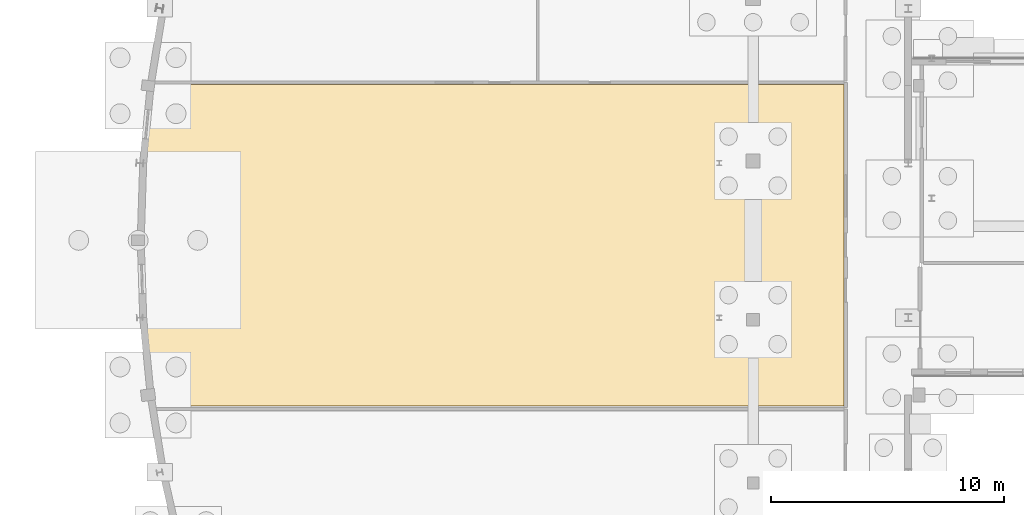
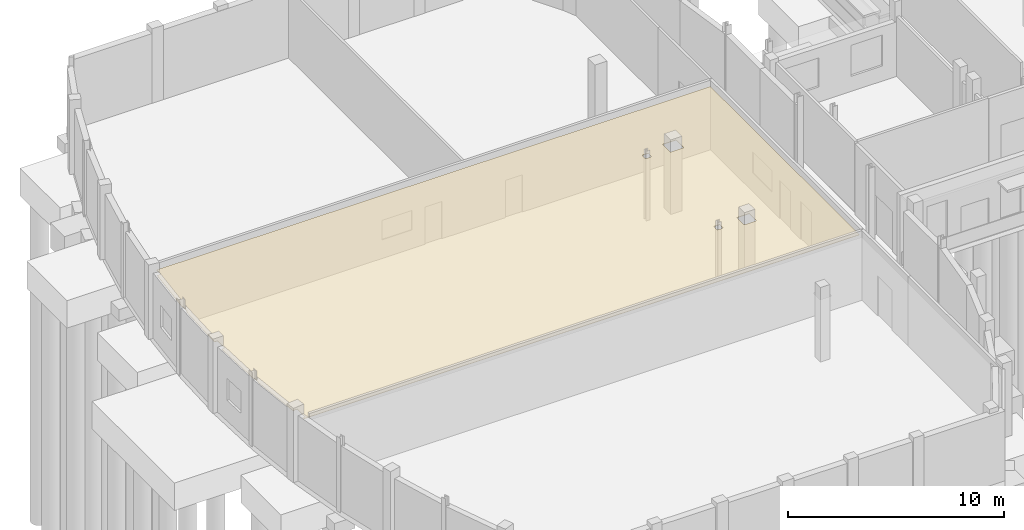
# One storey, part 80 of 93: 1 covering.
"""IFC4 building model written with IfcOpenShell, lengths in metres."""

from ifc_helpers import new_model, si_unit, direction, frame, origin, place, context, subcontext, project, spatial, polyline, outline, extrude, material, layer, layer_set, type_object, element, save


model = new_model("IFC4")

# Units and contexts
model_context = context("Model", 3, precision=1e-05, world=origin(), true_north=direction((0.0, 1.0)))
body_context = subcontext(model_context, "Body", "Model", "MODEL_VIEW")
ifc_project = project(units=[si_unit("LENGTHUNIT", "METRE"), si_unit("AREAUNIT", "SQUARE_METRE"), si_unit("VOLUMEUNIT", "CUBIC_METRE"), si_unit("PLANEANGLEUNIT", "RADIAN"), si_unit("MASSUNIT", "GRAM", prefix="KILO")], contexts=[model_context])

# Site, building, storey
site_placement = place(None, origin())
site = spatial("IfcSite", under=ifc_project, at=site_placement, CompositionType="ELEMENT")
building_placement = place(site_placement, origin())
building = spatial("IfcBuilding", under=site, at=building_placement, Name="Kelanivale Promenade Academy", CompositionType="ELEMENT")
storey_placement = place(building_placement, origin())
storey = spatial("IfcBuildingStorey", under=building, at=storey_placement, Name="L00", CompositionType="ELEMENT", Elevation=0.0)

# Covering
ifc_material = material(Name="Acoustic mineral-fibre ceiling tile 25 mm", Category="gypsum")
ifc_layer = layer(ifc_material, 0.02490234375)
ifc_layer_set = layer_set([ifc_layer], Name="Acoustic mineral-fibre ceiling tile 25 mm")
covering_type = type_object("IfcCoveringType", Name="COV-CLG1 Acoustic mineral-fibre ceiling tile ", PredefinedType="CEILING", material=ifc_layer_set)
covering_placement = place(storey_placement, frame((0.0, 0.0, 3.550048828125)))
element("IfcCovering", 1, at=covering_placement, inside=storey, type_object=covering_type, Name="PE Fitness Studio acoustic suspended ceiling", PredefinedType="CEILING", context=body_context, shape_type="SweptSolid", body=[
    extrude(outline(polyline([(3.14892578125, 62.889892578125), (3.14892578125, 62.533935546875), (3.14892578125, 62.530029296875), (3.14794921875, 62.52587890625), (3.14697265625, 62.52197265625), (3.14599609375, 62.51904296875), (3.14404296875, 62.514892578125), (3.14208984375, 62.511962890625), (3.139892578125, 62.509033203125), (3.136962890625, 62.506103515625), (3.134033203125, 62.5029296875), (3.131103515625, 62.5009765625), (3.1279296875, 62.4990234375), (3.1240234375, 62.4970703125), (3.12109375, 62.49609375), (3.116943359375, 62.4951171875), (3.113037109375, 62.493896484375), (3.10888671875, 62.493896484375), (2.94189453125, 62.493896484375), (2.677978515625, 59.73095703125), (2.679931640625, 59.73095703125), (2.68408203125, 59.73095703125), (2.68798828125, 59.72998046875), (2.69091796875, 59.72998046875), (2.695068359375, 59.72802734375), (2.698974609375, 59.72705078125), (2.701904296875, 59.72509765625), (2.705078125, 59.721923828125), (2.7080078125, 59.719970703125), (2.7109375, 59.717041015625), (2.712890625, 59.712890625), (2.715087890625, 59.7099609375), (2.717041015625, 59.70703125), (2.718017578125, 59.702880859375), (2.718994140625, 59.698974609375), (2.719970703125, 59.695068359375), (2.719970703125, 59.69091796875), (2.719970703125, 59.3369140625), (2.719970703125, 59.3330078125), (2.718994140625, 59.3291015625), (2.718017578125, 59.324951171875), (2.717041015625, 59.321044921875), (2.715087890625, 59.318115234375), (2.712890625, 59.31494140625), (2.7109375, 59.31103515625), (2.7080078125, 59.30810546875), (2.705078125, 59.305908203125), (2.701904296875, 59.302978515625), (2.698974609375, 59.301025390625), (2.695068359375, 59.300048828125), (2.69091796875, 59.298095703125), (2.68798828125, 59.298095703125), (2.68408203125, 59.297119140625), (2.679931640625, 59.297119140625), (2.64892578125, 59.297119140625), (2.56103515625, 56.534912109375), (2.68505859375, 56.534912109375), (2.68896484375, 56.534912109375), (2.693115234375, 56.533935546875), (2.697021484375, 56.532958984375), (2.699951171875, 56.531982421875), (2.7041015625, 56.530029296875), (2.70703125, 56.528076171875), (2.7099609375, 56.52587890625), (2.712890625, 56.52294921875), (2.716064453125, 56.52001953125), (2.718017578125, 56.51708984375), (2.719970703125, 56.513916015625), (2.721923828125, 56.510009765625), (2.722900390625, 56.507080078125), (2.72412109375, 56.5029296875), (2.72509765625, 56.4990234375), (2.72509765625, 56.4951171875), (2.72509765625, 55.905029296875), (2.72509765625, 55.90087890625), (2.72412109375, 55.89697265625), (2.722900390625, 55.89306640625), (2.721923828125, 55.889892578125), (2.719970703125, 55.885986328125), (2.718017578125, 55.883056640625), (2.716064453125, 55.8798828125), (2.712890625, 55.876953125), (2.7099609375, 55.8740234375), (2.70703125, 55.8720703125), (2.7041015625, 55.8701171875), (2.699951171875, 55.867919921875), (2.697021484375, 55.866943359375), (2.693115234375, 55.865966796875), (2.68896484375, 55.864990234375), (2.68505859375, 55.864990234375), (2.56103515625, 55.864990234375), (2.64990234375, 53.075927734375), (2.654052734375, 53.075927734375), (2.657958984375, 53.075927734375), (2.662109375, 53.074951171875), (2.666015625, 53.073974609375), (2.6689453125, 53.072998046875), (2.673095703125, 53.071044921875), (2.676025390625, 53.069091796875), (2.679931640625, 53.06689453125), (2.681884765625, 53.06396484375), (2.68505859375, 53.06201171875), (2.68701171875, 53.05810546875), (2.68896484375, 53.054931640625), (2.69091796875, 53.051025390625), (2.69189453125, 53.048095703125), (2.693115234375, 53.0439453125), (2.694091796875, 53.0400390625), (2.694091796875, 53.035888671875), (2.694091796875, 52.736083984375), (2.694091796875, 52.73193359375), (2.693115234375, 52.72802734375), (2.69189453125, 52.72412109375), (2.69091796875, 52.720947265625), (2.68896484375, 52.717041015625), (2.68701171875, 52.714111328125), (2.68505859375, 52.7099609375), (2.681884765625, 52.7080078125), (2.679931640625, 52.705078125), (2.676025390625, 52.702880859375), (2.674072265625, 52.700927734375), (2.93994140625, 49.930908203125), (3.134033203125, 49.930908203125), (3.137939453125, 49.930908203125), (3.14208984375, 49.929931640625), (3.14599609375, 49.928955078125), (3.14892578125, 49.927978515625), (3.153076171875, 49.926025390625), (3.156005859375, 49.924072265625), (3.158935546875, 49.922119140625), (3.162109375, 49.9189453125), (3.1650390625, 49.916015625), (3.1669921875, 49.9130859375), (3.1689453125, 49.909912109375), (3.1708984375, 49.906005859375), (3.172119140625, 49.903076171875), (3.173095703125, 49.89892578125), (3.174072265625, 49.89501953125), (3.174072265625, 49.89111328125), (3.174072265625, 49.2509765625), (3.174072265625, 49.2470703125), (3.173095703125, 49.242919921875), (3.172119140625, 49.239013671875), (3.1708984375, 49.236083984375), (3.1689453125, 49.23193359375), (3.1669921875, 49.22900390625), (3.1650390625, 49.22607421875), (3.162109375, 49.222900390625), (3.158935546875, 49.219970703125), (3.156005859375, 49.218017578125), (3.153076171875, 49.216064453125), (3.14892578125, 49.214111328125), (3.14599609375, 49.212890625), (3.14208984375, 49.2119140625), (3.137939453125, 49.2109375), (3.134033203125, 49.2109375), (3.033935546875, 49.2109375), (3.050048828125, 49.110107421875), (32.68994140625, 49.110107421875), (32.68994140625, 62.889892578125), (3.14892578125, 62.889892578125)]), holes=[polyline([(28.47998046875, 59.239990234375), (28.47607421875, 59.239990234375), (28.471923828125, 59.240966796875), (28.468017578125, 59.241943359375), (28.465087890625, 59.242919921875), (28.4609375, 59.2451171875), (28.4580078125, 59.2470703125), (28.455078125, 59.2490234375), (28.451904296875, 59.251953125), (28.448974609375, 59.2548828125), (28.447021484375, 59.258056640625), (28.445068359375, 59.260986328125), (28.443115234375, 59.264892578125), (28.44189453125, 59.26806640625), (28.44091796875, 59.27197265625), (28.43994140625, 59.27587890625), (28.43994140625, 59.280029296875), (28.43994140625, 59.919921875), (28.43994140625, 59.924072265625), (28.44091796875, 59.927978515625), (28.44189453125, 59.931884765625), (28.443115234375, 59.93505859375), (28.445068359375, 59.93896484375), (28.447021484375, 59.94189453125), (28.448974609375, 59.945068359375), (28.451904296875, 59.947998046875), (28.455078125, 59.950927734375), (28.4580078125, 59.952880859375), (28.4609375, 59.955078125), (28.465087890625, 59.95703125), (28.468017578125, 59.9580078125), (28.471923828125, 59.958984375), (28.47607421875, 59.9599609375), (28.47998046875, 59.9599609375), (29.1201171875, 59.9599609375), (29.1240234375, 59.9599609375), (29.1279296875, 59.958984375), (29.132080078125, 59.9580078125), (29.135009765625, 59.95703125), (29.138916015625, 59.955078125), (29.14208984375, 59.952880859375), (29.14501953125, 59.950927734375), (29.14794921875, 59.947998046875), (29.15087890625, 59.945068359375), (29.153076171875, 59.94189453125), (29.155029296875, 59.93896484375), (29.156982421875, 59.93505859375), (29.157958984375, 59.931884765625), (29.158935546875, 59.927978515625), (29.159912109375, 59.924072265625), (29.159912109375, 59.919921875), (29.159912109375, 59.280029296875), (29.159912109375, 59.27587890625), (29.158935546875, 59.27197265625), (29.157958984375, 59.26806640625), (29.156982421875, 59.264892578125), (29.155029296875, 59.260986328125), (29.153076171875, 59.258056640625), (29.15087890625, 59.2548828125), (29.14794921875, 59.251953125), (29.14501953125, 59.2490234375), (29.14208984375, 59.2470703125), (29.138916015625, 59.2451171875), (29.135009765625, 59.242919921875), (29.132080078125, 59.241943359375), (29.1279296875, 59.240966796875), (29.1240234375, 59.239990234375), (29.1201171875, 59.239990234375), (28.47998046875, 59.239990234375)]), polyline([(29.135009765625, 52.5048828125), (29.135009765625, 52.5009765625), (29.134033203125, 52.4970703125), (29.133056640625, 52.492919921875), (29.132080078125, 52.489990234375), (29.1298828125, 52.486083984375), (29.1279296875, 52.48291015625), (29.1259765625, 52.47998046875), (29.123046875, 52.47705078125), (29.1201171875, 52.47412109375), (29.116943359375, 52.471923828125), (29.114013671875, 52.469970703125), (29.110107421875, 52.468017578125), (29.10693359375, 52.467041015625), (29.10302734375, 52.466064453125), (29.09912109375, 52.465087890625), (29.094970703125, 52.465087890625), (28.5048828125, 52.465087890625), (28.5009765625, 52.465087890625), (28.4970703125, 52.466064453125), (28.492919921875, 52.467041015625), (28.489990234375, 52.468017578125), (28.486083984375, 52.469970703125), (28.48291015625, 52.471923828125), (28.47998046875, 52.47412109375), (28.47705078125, 52.47705078125), (28.47412109375, 52.47998046875), (28.471923828125, 52.48291015625), (28.469970703125, 52.486083984375), (28.468017578125, 52.489990234375), (28.467041015625, 52.492919921875), (28.466064453125, 52.4970703125), (28.465087890625, 52.5009765625), (28.465087890625, 52.5048828125), (28.465087890625, 53.094970703125), (28.465087890625, 53.09912109375), (28.466064453125, 53.10302734375), (28.467041015625, 53.10693359375), (28.468017578125, 53.110107421875), (28.469970703125, 53.114013671875), (28.471923828125, 53.116943359375), (28.47412109375, 53.1201171875), (28.47705078125, 53.123046875), (28.47998046875, 53.1259765625), (28.48291015625, 53.1279296875), (28.486083984375, 53.1298828125), (28.489990234375, 53.132080078125), (28.492919921875, 53.133056640625), (28.4970703125, 53.134033203125), (28.5009765625, 53.135009765625), (28.5048828125, 53.135009765625), (29.094970703125, 53.135009765625), (29.09912109375, 53.135009765625), (29.10302734375, 53.134033203125), (29.10693359375, 53.133056640625), (29.110107421875, 53.132080078125), (29.114013671875, 53.1298828125), (29.116943359375, 53.1279296875), (29.1201171875, 53.1259765625), (29.123046875, 53.123046875), (29.1259765625, 53.1201171875), (29.1279296875, 53.116943359375), (29.1298828125, 53.114013671875), (29.132080078125, 53.110107421875), (29.133056640625, 53.10693359375), (29.134033203125, 53.10302734375), (29.135009765625, 53.09912109375), (29.135009765625, 53.094970703125), (29.135009765625, 52.5048828125)]), polyline([(27.22802734375, 59.35107421875), (27.22412109375, 59.35107421875), (27.219970703125, 59.35205078125), (27.216064453125, 59.35302734375), (27.212890625, 59.35400390625), (27.208984375, 59.35595703125), (27.2060546875, 59.35791015625), (27.201904296875, 59.360107421875), (27.199951171875, 59.363037109375), (27.197021484375, 59.365966796875), (27.195068359375, 59.368896484375), (27.193115234375, 59.3720703125), (27.19091796875, 59.3759765625), (27.18994140625, 59.37890625), (27.18896484375, 59.383056640625), (27.18798828125, 59.386962890625), (27.18798828125, 59.39111328125), (27.18798828125, 59.636962890625), (27.18798828125, 59.64111328125), (27.18896484375, 59.64501953125), (27.18994140625, 59.64892578125), (27.19091796875, 59.652099609375), (27.193115234375, 59.656005859375), (27.195068359375, 59.658935546875), (27.197021484375, 59.662109375), (27.199951171875, 59.6650390625), (27.201904296875, 59.66796875), (27.2060546875, 59.669921875), (27.208984375, 59.672119140625), (27.212890625, 59.674072265625), (27.216064453125, 59.675048828125), (27.219970703125, 59.676025390625), (27.22412109375, 59.677001953125), (27.22802734375, 59.677001953125), (27.471923828125, 59.677001953125), (27.47607421875, 59.677001953125), (27.47998046875, 59.676025390625), (27.48388671875, 59.675048828125), (27.487060546875, 59.674072265625), (27.490966796875, 59.672119140625), (27.493896484375, 59.669921875), (27.498046875, 59.66796875), (27.5, 59.6650390625), (27.5029296875, 59.662109375), (27.5048828125, 59.658935546875), (27.507080078125, 59.656005859375), (27.509033203125, 59.652099609375), (27.510009765625, 59.64892578125), (27.510986328125, 59.64501953125), (27.511962890625, 59.64111328125), (27.511962890625, 59.636962890625), (27.511962890625, 59.39111328125), (27.511962890625, 59.386962890625), (27.510986328125, 59.383056640625), (27.510009765625, 59.37890625), (27.509033203125, 59.3759765625), (27.507080078125, 59.3720703125), (27.5048828125, 59.368896484375), (27.5029296875, 59.365966796875), (27.5, 59.363037109375), (27.498046875, 59.360107421875), (27.493896484375, 59.35791015625), (27.490966796875, 59.35595703125), (27.487060546875, 59.35400390625), (27.48388671875, 59.35302734375), (27.47998046875, 59.35205078125), (27.47607421875, 59.35107421875), (27.471923828125, 59.35107421875), (27.22802734375, 59.35107421875)]), polyline([(27.511962890625, 52.762939453125), (27.511962890625, 52.759033203125), (27.510986328125, 52.7548828125), (27.510009765625, 52.7509765625), (27.509033203125, 52.748046875), (27.507080078125, 52.743896484375), (27.5048828125, 52.740966796875), (27.5029296875, 52.738037109375), (27.5, 52.735107421875), (27.498046875, 52.73193359375), (27.493896484375, 52.72998046875), (27.490966796875, 52.72802734375), (27.487060546875, 52.72607421875), (27.48388671875, 52.72509765625), (27.47998046875, 52.72412109375), (27.47607421875, 52.722900390625), (27.471923828125, 52.722900390625), (27.22802734375, 52.722900390625), (27.22412109375, 52.722900390625), (27.219970703125, 52.72412109375), (27.216064453125, 52.72509765625), (27.212890625, 52.72607421875), (27.208984375, 52.72802734375), (27.2060546875, 52.72998046875), (27.201904296875, 52.73193359375), (27.199951171875, 52.735107421875), (27.197021484375, 52.738037109375), (27.195068359375, 52.740966796875), (27.193115234375, 52.743896484375), (27.19091796875, 52.748046875), (27.18994140625, 52.7509765625), (27.18896484375, 52.7548828125), (27.18798828125, 52.759033203125), (27.18798828125, 52.762939453125), (27.18798828125, 53.009033203125), (27.18798828125, 53.012939453125), (27.18896484375, 53.01708984375), (27.18994140625, 53.02099609375), (27.19091796875, 53.02392578125), (27.193115234375, 53.028076171875), (27.195068359375, 53.031005859375), (27.197021484375, 53.033935546875), (27.199951171875, 53.037109375), (27.201904296875, 53.0400390625), (27.2060546875, 53.0419921875), (27.208984375, 53.0439453125), (27.212890625, 53.0458984375), (27.216064453125, 53.047119140625), (27.219970703125, 53.048095703125), (27.22412109375, 53.049072265625), (27.22802734375, 53.049072265625), (27.471923828125, 53.049072265625), (27.47607421875, 53.049072265625), (27.47998046875, 53.048095703125), (27.48388671875, 53.047119140625), (27.487060546875, 53.0458984375), (27.490966796875, 53.0439453125), (27.493896484375, 53.0419921875), (27.498046875, 53.0400390625), (27.5, 53.037109375), (27.5029296875, 53.033935546875), (27.5048828125, 53.031005859375), (27.507080078125, 53.028076171875), (27.509033203125, 53.02392578125), (27.510009765625, 53.02099609375), (27.510986328125, 53.01708984375), (27.511962890625, 53.012939453125), (27.511962890625, 53.009033203125), (27.511962890625, 52.762939453125)])]), origin(), (0.0, 0.0, 1.0), 0.02490234375),
])

save(model, "model.ifc")
